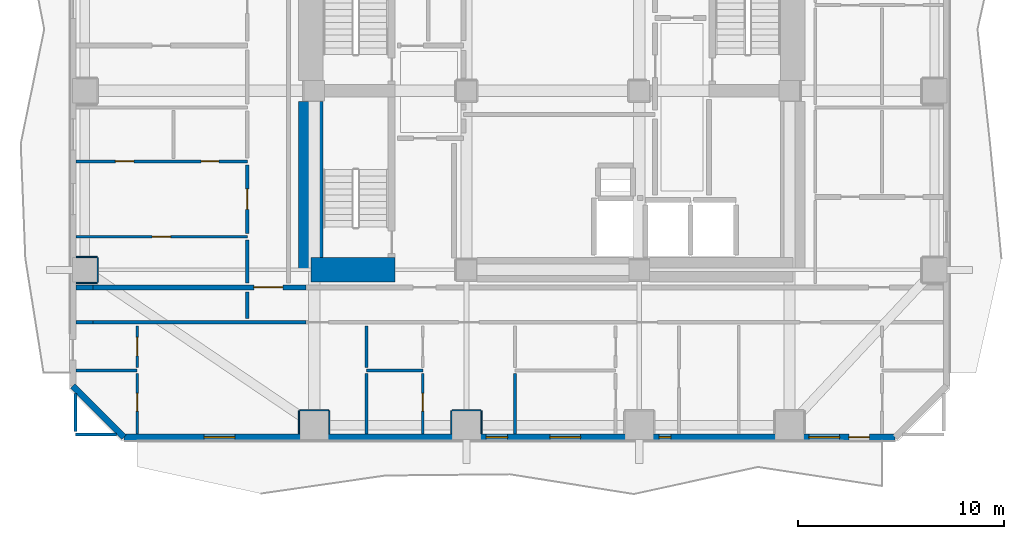
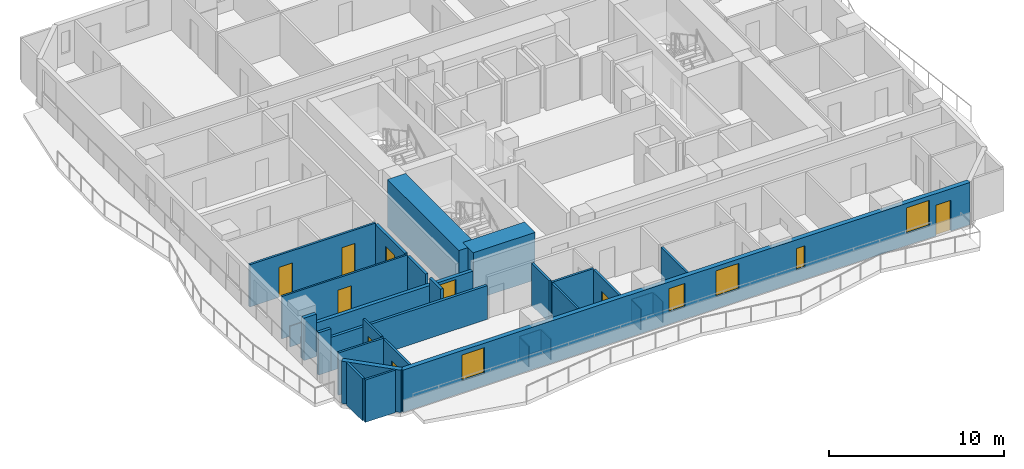
# One storey, part 2 of 12: 32 walls, 9 doors, 5 windows, 14 openings.
"""IFC4 building model written with IfcOpenShell, lengths in metres."""

from ifc_helpers import new_model, si_unit, direction, frame, frame_2d, origin, place, context, subcontext, project, spatial, rectangle, extrude, material, layer, layer_set, type_object, element, fill, save


model = new_model("IFC4")

# Units and contexts
model_context = context("Model", 3, precision=1e-05, world=origin(), true_north=direction((0.0, 1.0)))
body_context = subcontext(model_context, "Body", "Model", "MODEL_VIEW")
ifc_project = project(units=[si_unit("LENGTHUNIT", "METRE"), si_unit("AREAUNIT", "SQUARE_METRE"), si_unit("VOLUMEUNIT", "CUBIC_METRE"), si_unit("PLANEANGLEUNIT", "RADIAN"), si_unit("MASSUNIT", "GRAM", prefix="KILO")], contexts=[model_context])

# Site, building, storey
site_placement = place(None, origin())
site = spatial("IfcSite", under=ifc_project, at=site_placement, CompositionType="ELEMENT")
building_placement = place(site_placement, origin())
building = spatial("IfcBuilding", under=site, at=building_placement, Name="Solanera Arch Residences", CompositionType="ELEMENT")
storey_placement = place(building_placement, frame((0.0, 0.0, 85.080078125)))
storey = spatial("IfcBuildingStorey", under=building, at=storey_placement, Name="L24", CompositionType="ELEMENT", Elevation=85.080078125)

# Walls
ifc_material_1 = material(Name="Fire-Rated Gypsum Stud Partition", Category="gypsum")
ifc_layer_1 = layer(ifc_material_1, 0.06005859375)
ifc_layer_set_1 = layer_set([ifc_layer_1], Name="Fire-Rated Gypsum Stud Partition")
wall_type_1 = type_object("IfcWallType", Name="Column Acoustic Furring Wall 60", PredefinedType="PARTITIONING", material=ifc_layer_set_1)
wall_1_placement = place(storey_placement, frame((12.699951171875, 15.181884765625, 0.0), z_axis=(0.0, 0.0, 1.0), x_axis=(1.0, 0.0, 0.0)))
element("IfcWall", 1, at=wall_1_placement, inside=storey, type_object=wall_type_1, Name="L24 Column Furring 9N", PredefinedType="PARTITIONING", context=body_context, shape_type="SweptSolid", body=[
    extrude(rectangle(XDim=1.400146484375, YDim=0.06005859375, at=frame_2d((0.7001953125, 0.0))), origin(), (0.0, 0.0, 1.0), 1.449951171875),
])
for number, where, z_axis, x_axis, name in (
    (2, (12.66796875, 14.030029296875, 0.0), (0.0, 0.0, 1.0), (0.0, 1.0, 0.0), "L24 Column Furring 9W"),
    (3, (14.132080078125, 14.030029296875, 0.0), (0.0, 0.0, 1.0), (0.0, 1.0, 0.0), "L24 Column Furring 9E"),
):
    element("IfcWall", number, at=place(storey_placement, frame(where, z_axis=z_axis, x_axis=x_axis)), inside=storey, type_object=wall_type_1, Name=name, PredefinedType="PARTITIONING", context=body_context, shape_type="SweptSolid", body=[
        extrude(rectangle(XDim=1.119873046875, YDim=0.06005859375, at=frame_2d((0.56005859375, 0.0))), origin(), (0.0, 0.0, 1.0), 1.449951171875),
    ])
wall_2_placement = place(storey_placement, frame((20.10009765625, 15.181884765625, 0.0), z_axis=(0.0, 0.0, 1.0), x_axis=(1.0, 0.0, 0.0)))
element("IfcWall", 4, at=wall_2_placement, inside=storey, type_object=wall_type_1, Name="L24 Column Furring 11N", PredefinedType="PARTITIONING", context=body_context, shape_type="SweptSolid", body=[
    extrude(rectangle(XDim=1.39990234375, YDim=0.06005859375, at=frame_2d((0.699951171875, 0.0))), origin(), (0.0, 0.0, 1.0), 1.449951171875),
])
for number, where, z_axis, x_axis, name in (
    (5, (20.068115234375, 14.030029296875, 0.0), (0.0, 0.0, 1.0), (0.0, 1.0, 0.0), "L24 Column Furring 11W"),
    (6, (21.531982421875, 14.030029296875, 0.0), (0.0, 0.0, 1.0), (0.0, 1.0, 0.0), "L24 Column Furring 11E"),
):
    element("IfcWall", number, at=place(storey_placement, frame(where, z_axis=z_axis, x_axis=x_axis)), inside=storey, type_object=wall_type_1, Name=name, PredefinedType="PARTITIONING", context=body_context, shape_type="SweptSolid", body=[
        extrude(rectangle(XDim=1.119873046875, YDim=0.06005859375, at=frame_2d((0.56005859375, 0.0))), origin(), (0.0, 0.0, 1.0), 1.449951171875),
    ])
for number, where, z_axis, x_axis, name in (
    (7, (1.830078125, 21.367919921875, 0.0), (0.0, 0.0, 1.0), (1.0, 0.0, 0.0), "L24 Column Furring 17S"),
    (8, (1.830078125, 22.632080078125, 0.0), (0.0, 0.0, 1.0), (1.0, 0.0, 0.0), "L24 Column Furring 17N"),
):
    element("IfcWall", number, at=place(storey_placement, frame(where, z_axis=z_axis, x_axis=x_axis)), inside=storey, type_object=wall_type_1, Name=name, PredefinedType="PARTITIONING", context=body_context, shape_type="SweptSolid", body=[
        extrude(rectangle(XDim=1.02001953125, YDim=0.06005859375, at=frame_2d((0.510009765625, 0.0))), origin(), (0.0, 0.0, 1.0), 1.449951171875),
    ])
wall_3_placement = place(storey_placement, frame((2.882080078125, 21.39990234375, 0.0), z_axis=(0.0, 0.0, 1.0), x_axis=(0.0, 1.0, 0.0)))
element("IfcWall", 9, at=wall_3_placement, inside=storey, type_object=wall_type_1, Name="L24 Column Furring 17E", PredefinedType="PARTITIONING", context=body_context, shape_type="SweptSolid", body=[
    extrude(rectangle(XDim=1.2001953125, YDim=0.06005859375, at=frame_2d((0.60009765625, 0.0))), origin(), (0.0, 0.0, 1.0), 1.449951171875),
])
ifc_material_2 = material(Name="Concrete C55/67 (f'c = 60 MPa)", Category="concrete")
ifc_layer_2 = layer(ifc_material_2, 1.199951171875)
ifc_layer_set_2 = layer_set([ifc_layer_2], Name="Concrete C55/67 (f'c = 60 MPa)")
wall_type_2 = type_object("IfcWallType", Name="Core Shear Wall CW-1200", PredefinedType="SHEAR", material=ifc_layer_set_2)
wall_4_placement = place(storey_placement, frame((13.239990234375, 22.0, 0.0), z_axis=(0.0, 0.0, 1.0), x_axis=(0.0, 1.0, 0.0)))
element("IfcWall", 10, at=wall_4_placement, inside=storey, type_object=wall_type_2, Name="L24 West Core South Shear Wall", PredefinedType="SHEAR", context=body_context, shape_type="SweptSolid", body=[
    extrude(rectangle(XDim=8.195068359375, YDim=1.199951171875, at=frame_2d((4.09765625, 0.0))), origin(), (0.0, 0.0, 1.0), 3.31982421875),
])
wall_5_placement = place(storey_placement, frame((13.239990234375, 22.0, 0.0), z_axis=(0.0, 0.0, 1.0), x_axis=(1.0, 0.0, 0.0)))
element("IfcWall", 11, at=wall_5_placement, inside=storey, type_object=wall_type_2, Name="L24 South-West Core Shear Wall", PredefinedType="SHEAR", context=body_context, shape_type="SweptSolid", body=[
    extrude(rectangle(XDim=4.080078125, YDim=1.199951171875, at=frame_2d((2.0400390625, 0.0))), origin(), (0.0, 0.0, 1.0), 3.31982421875),
])
ifc_material_3 = material(Name="Autoclaved Aerated Concrete Blockwork", Category="masonry")
ifc_layer_3 = layer(ifc_material_3, 0.179931640625)
ifc_layer_set_3 = layer_set([ifc_layer_3], Name="Autoclaved Aerated Concrete Blockwork")
wall_type_3 = type_object("IfcWallType", Name="Corridor Fire Partition 180", PredefinedType="PARTITIONING", material=ifc_layer_set_3)
wall_6_placement = place(storey_placement, frame((1.826904296875, 19.449951171875, 0.0), z_axis=(0.0, 0.0, 1.0), x_axis=(1.0, 0.0, 0.0)))
element("IfcWall", 12, at=wall_6_placement, inside=storey, type_object=wall_type_3, Name="L24 Interior Partition H8 1", PredefinedType="PARTITIONING", context=body_context, shape_type="SweptSolid", body=[
    extrude(rectangle(XDim=0.830078125, YDim=0.179931640625, at=frame_2d((0.4150390625, 0.0))), origin(), (0.0, 0.0, 1.0), 2.9599609375),
])
wall_7_placement = place(storey_placement, frame((2.656982421875, 19.449951171875, 0.0), z_axis=(0.0, 0.0, 1.0), x_axis=(1.0, 0.0, 0.0)))
element("IfcWall", 13, at=wall_7_placement, inside=storey, type_object=wall_type_3, Name="L24 Interior Partition H8 2", PredefinedType="PARTITIONING", context=body_context, shape_type="SweptSolid", body=[
    extrude(rectangle(XDim=10.3359375, YDim=0.179931640625, at=frame_2d((5.16796875, 0.0))), origin(), (0.0, 0.0, 1.0), 2.344970703125),
])
wall_8_placement = place(storey_placement, frame((10.14990234375, 19.637939453125, 0.0), z_axis=(0.0, 0.0, 1.0), x_axis=(0.0, 1.0, 0.0)))
element("IfcWall", 14, at=wall_8_placement, inside=storey, type_object=wall_type_3, Name="L24 Interior Partition V6 1", PredefinedType="PARTITIONING", context=body_context, shape_type="SweptSolid", body=[
    extrude(rectangle(XDim=1.2939453125, YDim=0.179931640625, at=frame_2d((0.64697265625, 0.0))), origin(), (0.0, 0.0, 1.0), 2.9599609375),
])
wall_9_placement = place(storey_placement, frame((10.14990234375, 21.367919921875, 0.0), z_axis=(0.0, 0.0, 1.0), x_axis=(0.0, 1.0, 0.0)))
element("IfcWall", 15, at=wall_9_placement, inside=storey, type_object=wall_type_3, Name="L24 Interior Partition V6 2", PredefinedType="PARTITIONING", context=body_context, shape_type="SweptSolid", body=[
    extrude(rectangle(XDim=2.073974609375, YDim=0.179931640625, at=frame_2d((1.037109375, 0.0))), origin(), (0.0, 0.0, 1.0), 2.9599609375),
])

# Wall, opening, door
wall_10_placement = place(storey_placement, frame((10.14990234375, 23.758056640625, 0.0), z_axis=(0.0, 0.0, 1.0), x_axis=(0.0, 1.0, 0.0)))
wall_10 = element("IfcWall", 16, at=wall_10_placement, inside=storey, type_object=wall_type_3, Name="L24 Interior Partition V6 3", PredefinedType="PARTITIONING", context=body_context, shape_type="SweptSolid", body=[
    extrude(rectangle(XDim=3.348876953125, YDim=0.179931640625, at=frame_2d((1.67431640625, 0.0))), origin(), (0.0, 0.0, 1.0), 2.9599609375),
])
opening_1_placement = place(wall_10_placement, frame((1.179931640625, 0.0, 0.0)))
opening_1 = element("IfcOpeningElement", 17, at=opening_1_placement, cuts=wall_10, Name="Opening DI-01", PredefinedType="OPENING", context=body_context, shape_type="SweptSolid", body=[
    extrude(rectangle(XDim=1.0, YDim=2.14990234375, at=frame_2d((0.5, 1.074951171875))), frame((0.0, 0.10009765625, 0.0), z_axis=(0.0, -1.0, 0.0), x_axis=(1.0, 0.0, 0.0)), (0.0, 0.0, 1.0), 0.1999),
])
ifc_material_4 = material(Name="Fire-Rated Architectural Hardwood", Category="wood")
door_type_1 = type_object("IfcDoorType", Name="Unit Entrance Fire Door DI-01", OperationType="NOTDEFINED", PredefinedType="DOOR", material=ifc_material_4)
door_1_placement = place(opening_1_placement, origin())
door_1 = element("IfcDoor", 18, at=door_1_placement, inside=storey, type_object=door_type_1, Name="DR-L24-IN-041", OperationType="SINGLE_SWING_LEFT", OverallHeight=2.14990234375, OverallWidth=1.0, PredefinedType="DOOR", context=body_context, shape_type="SweptSolid", body=[
    extrude(rectangle(XDim=1.0, YDim=2.14990234375, at=frame_2d((0.5, 1.074951171875))), frame((0.0, 0.02490234375, 0.0), z_axis=(0.0, -1.0, 0.0), x_axis=(1.0, 0.0, 0.0)), (0.0, 0.0, 1.0), 0.050048828125),
])
fill(opening_1, door_1)

# Wall, openings, door, windows
ifc_material_5 = material(Name="Precast Concrete C35/45", Category="concrete")
ifc_layer_4 = layer(ifc_material_5, 0.300048828125)
ifc_layer_set_4 = layer_set([ifc_layer_4], Name="Precast Concrete C35/45")
wall_type_4 = type_object("IfcWallType", Name="Exterior Wall Precast Masonry-Frame 300", PredefinedType="STANDARD", material=ifc_layer_set_4)
wall_11_placement = place(storey_placement, frame((41.635009765625, 13.864990234375, 0.0), z_axis=(0.0, 0.0, 1.0), x_axis=(-1.0, 0.0, 0.0)))
wall_11 = element("IfcWall", 19, at=wall_11_placement, inside=storey, type_object=wall_type_4, Name="L24 Tower Exterior Precast Masonry-Frame Wall S", PredefinedType="STANDARD", context=body_context, shape_type="SweptSolid", body=[
    extrude(rectangle(XDim=37.469970703125, YDim=0.300048828125, at=frame_2d((18.73486328125, 0.0))), origin(), (0.0, 0.0, 1.0), 2.9599609375),
])
opening_2_placement = place(wall_11_placement, frame((1.2509765625, 0.0, 0.0)))
opening_2 = element("IfcOpeningElement", 20, at=opening_2_placement, cuts=wall_11, Name="Opening DB-01", PredefinedType="OPENING", context=body_context, shape_type="SweptSolid", body=[
    extrude(rectangle(XDim=1.0, YDim=2.14990234375, at=frame_2d((0.5, 1.074951171875))), frame((0.0, 0.159912109375, 0.0), z_axis=(0.0, -1.0, 0.0), x_axis=(1.0, 0.0, 0.0)), (0.0, 0.0, 1.0), 0.32),
])
opening_3_placement = place(wall_11_placement, frame((32.0849609375, 0.0, 0.85009765625)))
opening_3 = element("IfcOpeningElement", 21, at=opening_3_placement, cuts=wall_11, Name="Opening W-02", PredefinedType="OPENING", context=body_context, shape_type="SweptSolid", body=[
    extrude(rectangle(XDim=1.5, YDim=1.800048828125, at=frame_2d((0.75, 0.89990234375))), frame((0.0, 0.159912109375, 0.0), z_axis=(0.0, -1.0, 0.0), x_axis=(1.0, 0.0, 0.0)), (0.0, 0.0, 1.0), 0.32),
])
opening_4_placement = place(wall_11_placement, frame((18.8330078125, 0.0, 0.85009765625)))
opening_4 = element("IfcOpeningElement", 22, at=opening_4_placement, cuts=wall_11, Name="Opening W-07", PredefinedType="OPENING", context=body_context, shape_type="SweptSolid", body=[
    extrude(rectangle(XDim=1.050048828125, YDim=1.64990234375, at=frame_2d((0.52490234375, 0.824951171875))), frame((0.0, 0.159912109375, 0.0), z_axis=(0.0, -1.0, 0.0), x_axis=(1.0, 0.0, 0.0)), (0.0, 0.0, 1.0), 0.32),
])
opening_5_placement = place(wall_11_placement, frame((10.89501953125, 0.0, 0.85009765625)))
opening_5 = element("IfcOpeningElement", 23, at=opening_5_placement, cuts=wall_11, Name="Opening W-14", PredefinedType="OPENING", context=body_context, shape_type="SweptSolid", body=[
    extrude(rectangle(XDim=0.580078125, YDim=1.5, at=frame_2d((0.2900390625, 0.75))), frame((0.0, 0.159912109375, 0.0), z_axis=(0.0, -1.0, 0.0), x_axis=(1.0, 0.0, 0.0)), (0.0, 0.0, 1.0), 0.32),
])
opening_6_placement = place(wall_11_placement, frame((15.282958984375, 0.0, 0.85009765625)))
opening_6 = element("IfcOpeningElement", 24, at=opening_6_placement, cuts=wall_11, Name="Opening W-02", PredefinedType="OPENING", context=body_context, shape_type="SweptSolid", body=[
    extrude(rectangle(XDim=1.5, YDim=1.800048828125, at=frame_2d((0.75, 0.89990234375))), frame((0.0, 0.159912109375, 0.0), z_axis=(0.0, -1.0, 0.0), x_axis=(1.0, 0.0, 0.0)), (0.0, 0.0, 1.0), 0.32),
])
opening_7_placement = place(wall_11_placement, frame((2.693115234375, 0.0, 0.85009765625)))
opening_7 = element("IfcOpeningElement", 25, at=opening_7_placement, cuts=wall_11, Name="Opening W-02", PredefinedType="OPENING", context=body_context, shape_type="SweptSolid", body=[
    extrude(rectangle(XDim=1.5, YDim=1.800048828125, at=frame_2d((0.75, 0.89990234375))), frame((0.0, 0.159912109375, 0.0), z_axis=(0.0, -1.0, 0.0), x_axis=(1.0, 0.0, 0.0)), (0.0, 0.0, 1.0), 0.32),
])
ifc_material_6 = material(Name="Anodised Aluminium Alloy 6063-T6", Category="aluminium")
door_type_2 = type_object("IfcDoorType", Name="Glazed Balcony Swing Door DB-01", OperationType="NOTDEFINED", PredefinedType="DOOR", material=ifc_material_6)
door_2_placement = place(opening_2_placement, origin())
door_2 = element("IfcDoor", 26, at=door_2_placement, inside=storey, type_object=door_type_2, Name="DR-L24-OUT-01", OperationType="SINGLE_SWING_RIGHT", OverallHeight=2.14990234375, OverallWidth=1.0, PredefinedType="DOOR", context=body_context, shape_type="SweptSolid", body=[
    extrude(rectangle(XDim=1.0, YDim=2.14990234375, at=frame_2d((0.5, 1.074951171875))), frame((0.0, 0.02490234375, 0.0), z_axis=(0.0, -1.0, 0.0), x_axis=(1.0, 0.0, 0.0)), (0.0, 0.0, 1.0), 0.050048828125),
])
fill(opening_2, door_2)
ifc_material_7 = material(Name="Double Glazed Low-E Laminated Glass", Category="glass")
window_type_1 = type_object("IfcWindowType", Name="Punched Window W-02", PartitioningType="DOUBLE_PANEL_VERTICAL", PredefinedType="WINDOW", material=ifc_material_7)
window_1_placement = place(opening_3_placement, origin())
window_1 = element("IfcWindow", 27, at=window_1_placement, inside=storey, type_object=window_type_1, Name="L24 2401-LIV Punched Window", OverallHeight=1.800048828125, OverallWidth=1.5, PartitioningType="SINGLE_PANEL", PredefinedType="WINDOW", context=body_context, shape_type="SweptSolid", body=[
    extrude(rectangle(XDim=1.5, YDim=1.800048828125, at=frame_2d((0.75, 0.89990234375))), frame((0.0, 0.030029296875, 0.0), z_axis=(0.0, -1.0, 0.0), x_axis=(1.0, 0.0, 0.0)), (0.0, 0.0, 1.0), 0.06005859375),
])
fill(opening_3, window_1)
window_2_placement = place(opening_6_placement, origin())
window_2 = element("IfcWindow", 28, at=window_2_placement, inside=storey, type_object=window_type_1, Name="L24 2403-BR1 Punched Window", OverallHeight=1.800048828125, OverallWidth=1.5, PartitioningType="SINGLE_PANEL", PredefinedType="WINDOW", context=body_context, shape_type="SweptSolid", body=[
    extrude(rectangle(XDim=1.5, YDim=1.800048828125, at=frame_2d((0.75, 0.89990234375))), frame((0.0, 0.030029296875, 0.0), z_axis=(0.0, -1.0, 0.0), x_axis=(1.0, 0.0, 0.0)), (0.0, 0.0, 1.0), 0.06005859375),
])
fill(opening_6, window_2)
window_3_placement = place(opening_7_placement, origin())
window_3 = element("IfcWindow", 29, at=window_3_placement, inside=storey, type_object=window_type_1, Name="L24 2404-LIV Punched Window", OverallHeight=1.800048828125, OverallWidth=1.5, PartitioningType="SINGLE_PANEL", PredefinedType="WINDOW", context=body_context, shape_type="SweptSolid", body=[
    extrude(rectangle(XDim=1.5, YDim=1.800048828125, at=frame_2d((0.75, 0.89990234375))), frame((0.0, 0.030029296875, 0.0), z_axis=(0.0, -1.0, 0.0), x_axis=(1.0, 0.0, 0.0)), (0.0, 0.0, 1.0), 0.06005859375),
])
fill(opening_7, window_3)
ifc_material_8 = material(Name="Double Glazed Low-E Laminated Glass", Category="glass")
window_type_2 = type_object("IfcWindowType", Name="Punched Window W-07", PartitioningType="SINGLE_PANEL", PredefinedType="WINDOW", material=ifc_material_8)
window_4_placement = place(opening_4_placement, origin())
window_4 = element("IfcWindow", 30, at=window_4_placement, inside=storey, type_object=window_type_2, Name="L24 2402-LIV Punched Window", OverallHeight=1.64990234375, OverallWidth=1.050048828125, PartitioningType="SINGLE_PANEL", PredefinedType="WINDOW", context=body_context, shape_type="SweptSolid", body=[
    extrude(rectangle(XDim=1.050048828125, YDim=1.64990234375, at=frame_2d((0.52490234375, 0.824951171875))), frame((0.0, 0.030029296875, 0.0), z_axis=(0.0, -1.0, 0.0), x_axis=(1.0, 0.0, 0.0)), (0.0, 0.0, 1.0), 0.06005859375),
])
fill(opening_4, window_4)
ifc_material_9 = material(Name="Double Glazed Low-E Laminated Glass", Category="glass")
window_type_3 = type_object("IfcWindowType", Name="Punched Window W-14", PartitioningType="SINGLE_PANEL", PredefinedType="WINDOW", material=ifc_material_9)
window_5_placement = place(opening_5_placement, origin())
window_5 = element("IfcWindow", 31, at=window_5_placement, inside=storey, type_object=window_type_3, Name="L24 2403-LIV Punched Window", OverallHeight=1.5, OverallWidth=0.580078125, PartitioningType="SINGLE_PANEL", PredefinedType="WINDOW", context=body_context, shape_type="SweptSolid", body=[
    extrude(rectangle(XDim=0.580078125, YDim=1.5, at=frame_2d((0.2900390625, 0.75))), frame((0.0, 0.030029296875, 0.0), z_axis=(0.0, -1.0, 0.0), x_axis=(1.0, 0.0, 0.0)), (0.0, 0.0, 1.0), 0.06005859375),
])
fill(opening_5, window_5)

# Walls
wall_12_placement = place(storey_placement, frame((4.1650390625, 13.864990234375, 0.0), z_axis=(0.0, 0.0, 1.0), x_axis=(-0.707106781187, 0.707106781187, 0.0)))
element("IfcWall", 32, at=wall_12_placement, inside=storey, type_object=wall_type_4, Name="L24 Tower Exterior Precast Masonry-Frame Wall CH7", PredefinedType="STANDARD", context=body_context, shape_type="SweptSolid", body=[
    extrude(rectangle(XDim=3.53564453125, YDim=0.300048828125, at=frame_2d((1.767822265625, 0.0))), origin(), (0.0, 0.0, 1.0), 2.9599609375),
])
ifc_material_10 = material(Name="Autoclaved Aerated Concrete Blockwork", Category="masonry")
ifc_layer_5 = layer(ifc_material_10, 0.239990234375)
ifc_layer_set_5 = layer_set([ifc_layer_5], Name="Autoclaved Aerated Concrete Blockwork")
wall_type_5 = type_object("IfcWallType", Name="Shaft Wall Fire-Rated 240", PredefinedType="PARTITIONING", material=ifc_layer_set_5)
wall_13_placement = place(storey_placement, frame((1.826904296875, 21.14990234375, 0.0), z_axis=(0.0, 0.0, 1.0), x_axis=(1.0, 0.0, 0.0)))
element("IfcWall", 33, at=wall_13_placement, inside=storey, type_object=wall_type_5, Name="L24 Interior Partition H1 1", PredefinedType="PARTITIONING", context=body_context, shape_type="SweptSolid", body=[
    extrude(rectangle(XDim=0.830078125, YDim=0.239990234375, at=frame_2d((0.4150390625, 0.0))), origin(), (0.0, 0.0, 1.0), 2.9599609375),
])

# Wall, opening, door
wall_14_placement = place(storey_placement, frame((2.656982421875, 21.14990234375, 0.0), z_axis=(0.0, 0.0, 1.0), x_axis=(1.0, 0.0, 0.0)))
wall_14 = element("IfcWall", 34, at=wall_14_placement, inside=storey, type_object=wall_type_5, Name="L24 Interior Partition H1 2", PredefinedType="PARTITIONING", context=body_context, shape_type="SweptSolid", body=[
    extrude(rectangle(XDim=10.3359375, YDim=0.239990234375, at=frame_2d((5.16796875, 0.0))), origin(), (0.0, 0.0, 1.0), 2.344970703125),
])
opening_8_placement = place(wall_14_placement, frame((7.81689453125, 0.0, 0.0)))
opening_8 = element("IfcOpeningElement", 35, at=opening_8_placement, cuts=wall_14, Name="Opening DF-03", PredefinedType="OPENING", context=body_context, shape_type="SweptSolid", body=[
    extrude(rectangle(XDim=1.39990234375, YDim=2.14990234375, at=frame_2d((0.699951171875, 1.074951171875))), frame((0.0, 0.1298828125, 0.0), z_axis=(0.0, -1.0, 0.0), x_axis=(1.0, 0.0, 0.0)), (0.0, 0.0, 1.0), 0.26),
])
ifc_material_11 = material(Name="Fire-Rated Architectural Hardwood", Category="wood")
door_type_3 = type_object("IfcDoorType", Name="Corridor Smoke Door DF-03", OperationType="NOTDEFINED", PredefinedType="DOOR", material=ifc_material_11)
door_3_placement = place(opening_8_placement, origin())
door_3 = element("IfcDoor", 36, at=door_3_placement, inside=storey, type_object=door_type_3, Name="DR-L24-IN-010", OperationType="SINGLE_SWING_RIGHT", OverallHeight=2.14990234375, OverallWidth=1.39990234375, PredefinedType="DOOR", context=body_context, shape_type="SweptSolid", body=[
    extrude(rectangle(XDim=1.39990234375, YDim=2.14990234375, at=frame_2d((0.699951171875, 1.074951171875))), frame((0.0, 0.02490234375, 0.0), z_axis=(0.0, -1.0, 0.0), x_axis=(1.0, 0.0, 0.0)), (0.0, 0.0, 1.0), 0.050048828125),
])
fill(opening_8, door_3)

ifc_material_12 = material(Name="Fire-Rated Gypsum Stud Partition", Category="gypsum")
ifc_layer_6 = layer(ifc_material_12, 0.1201171875)
ifc_layer_set_6 = layer_set([ifc_layer_6], Name="Fire-Rated Gypsum Stud Partition")
wall_type_6 = type_object("IfcWallType", Name="Unit Drywall Partition 120", PredefinedType="PARTITIONING", material=ifc_layer_set_6)
wall_15_placement = place(storey_placement, frame((1.826904296875, 23.60009765625, 0.0), z_axis=(0.0, 0.0, 1.0), x_axis=(1.0, 0.0, 0.0)))
wall_15 = element("IfcWall", 37, at=wall_15_placement, inside=storey, type_object=wall_type_6, Name="L24 Interior Partition H28", PredefinedType="PARTITIONING", context=body_context, shape_type="SweptSolid", body=[
    extrude(rectangle(XDim=8.322998046875, YDim=0.1201171875, at=frame_2d((4.16162109375, 0.0))), origin(), (0.0, 0.0, 1.0), 2.9599609375),
])
opening_9_placement = place(wall_15_placement, frame((3.697998046875, 0.0, 0.0)))
opening_9 = element("IfcOpeningElement", 38, at=opening_9_placement, cuts=wall_15, Name="Opening DI-02", PredefinedType="OPENING", context=body_context, shape_type="SweptSolid", body=[
    extrude(rectangle(XDim=0.89990234375, YDim=2.10009765625, at=frame_2d((0.449951171875, 1.050048828125))), frame((0.0, 0.070068359375, 0.0), z_axis=(0.0, -1.0, 0.0), x_axis=(1.0, 0.0, 0.0)), (0.0, 0.0, 1.0), 0.1401),
])
ifc_material_13 = material(Name="Fire-Rated Architectural Hardwood", Category="wood")
door_type_4 = type_object("IfcDoorType", Name="Suite Room Swing Door DI-02", OperationType="NOTDEFINED", PredefinedType="DOOR", material=ifc_material_13)
door_4_placement = place(opening_9_placement, origin())
door_4 = element("IfcDoor", 39, at=door_4_placement, inside=storey, type_object=door_type_4, Name="DR-L24-IN-042", OperationType="SINGLE_SWING_RIGHT", OverallHeight=2.10009765625, OverallWidth=0.89990234375, PredefinedType="DOOR", context=body_context, shape_type="SweptSolid", body=[
    extrude(rectangle(XDim=0.89990234375, YDim=2.10009765625, at=frame_2d((0.449951171875, 1.050048828125))), frame((0.0, 0.02490234375, 0.0), z_axis=(0.0, -1.0, 0.0), x_axis=(1.0, 0.0, 0.0)), (0.0, 0.0, 1.0), 0.050048828125),
])
fill(opening_9, door_4)

# Walls
ifc_material_14 = material(Name="Autoclaved Aerated Concrete Blockwork", Category="masonry")
ifc_layer_7 = layer(ifc_material_14, 0.139892578125)
ifc_layer_set_7 = layer_set([ifc_layer_7], Name="Autoclaved Aerated Concrete Blockwork")
wall_type_7 = type_object("IfcWallType", Name="Wet-Room Partition 140", PredefinedType="PARTITIONING", material=ifc_layer_set_7)
wall_16_placement = place(storey_placement, frame((1.800048828125, 14.0, 0.0), z_axis=(0.0, 0.0, 1.0), x_axis=(1.0, 0.0, 0.0)))
element("IfcWall", 40, at=wall_16_placement, inside=storey, type_object=wall_type_7, Name="L24 Interior Partition H14 1", PredefinedType="PARTITIONING", context=body_context, shape_type="SweptSolid", body=[
    extrude(rectangle(XDim=2.0009765625, YDim=0.139892578125, at=frame_2d((1.00048828125, 0.0))), origin(), (0.0, 0.0, 1.0), 2.9599609375),
])
wall_17_placement = place(storey_placement, frame((1.826904296875, 17.10693359375, 0.0), z_axis=(0.0, 0.0, 1.0), x_axis=(1.0, 0.0, 0.0)))
element("IfcWall", 41, at=wall_17_placement, inside=storey, type_object=wall_type_7, Name="L24 Interior Partition H15", PredefinedType="PARTITIONING", context=body_context, shape_type="SweptSolid", body=[
    extrude(rectangle(XDim=2.97314453125, YDim=0.139892578125, at=frame_2d((1.486572265625, 0.0))), origin(), (0.0, 0.0, 1.0), 2.9599609375),
])
wall_18_placement = place(storey_placement, frame((15.93603515625, 17.10693359375, 0.0), z_axis=(0.0, 0.0, 1.0), x_axis=(1.0, 0.0, 0.0)))
element("IfcWall", 42, at=wall_18_placement, inside=storey, type_object=wall_type_7, Name="L24 Interior Partition H16", PredefinedType="PARTITIONING", context=body_context, shape_type="SweptSolid", body=[
    extrude(rectangle(XDim=2.742919921875, YDim=0.139892578125, at=frame_2d((1.37158203125, 0.0))), origin(), (0.0, 0.0, 1.0), 2.9599609375),
])

# Wall, openings, doors
wall_19_placement = place(storey_placement, frame((1.826904296875, 27.27490234375, 0.0), z_axis=(0.0, 0.0, 1.0), x_axis=(1.0, 0.0, 0.0)))
wall_19 = element("IfcWall", 43, at=wall_19_placement, inside=storey, type_object=wall_type_7, Name="L24 Interior Partition H19", PredefinedType="PARTITIONING", context=body_context, shape_type="SweptSolid", body=[
    extrude(rectangle(XDim=8.322998046875, YDim=0.139892578125, at=frame_2d((4.16162109375, 0.0))), origin(), (0.0, 0.0, 1.0), 2.9599609375),
])
opening_10_placement = place(wall_19_placement, frame((6.0849609375, 0.0, 0.0)))
opening_10 = element("IfcOpeningElement", 44, at=opening_10_placement, cuts=wall_19, Name="Opening DI-05", PredefinedType="OPENING", context=body_context, shape_type="SweptSolid", body=[
    extrude(rectangle(XDim=0.860107421875, YDim=2.02001953125, at=frame_2d((0.43017578125, 1.010009765625))), frame((0.0, 0.079833984375, 0.0), z_axis=(0.0, -1.0, 0.0), x_axis=(1.0, 0.0, 0.0)), (0.0, 0.0, 1.0), 0.1599),
])
opening_11_placement = place(wall_19_placement, frame((1.9150390625, 0.0, 0.0)))
opening_11 = element("IfcOpeningElement", 45, at=opening_11_placement, cuts=wall_19, Name="Opening DI-03", PredefinedType="OPENING", context=body_context, shape_type="SweptSolid", body=[
    extrude(rectangle(XDim=0.89990234375, YDim=2.10009765625, at=frame_2d((0.449951171875, 1.050048828125))), frame((0.0, 0.079833984375, 0.0), z_axis=(0.0, -1.0, 0.0), x_axis=(1.0, 0.0, 0.0)), (0.0, 0.0, 1.0), 0.1599),
])
ifc_material_15 = material(Name="Fire-Rated Architectural Hardwood", Category="wood")
door_type_5 = type_object("IfcDoorType", Name="Bathroom Swing Door DI-05", OperationType="NOTDEFINED", PredefinedType="DOOR", material=ifc_material_15)
door_5_placement = place(opening_10_placement, origin())
door_5 = element("IfcDoor", 46, at=door_5_placement, inside=storey, type_object=door_type_5, Name="DR-L24-IN-043", OperationType="SINGLE_SWING_LEFT", OverallHeight=2.02001953125, OverallWidth=0.860107421875, PredefinedType="DOOR", context=body_context, shape_type="SweptSolid", body=[
    extrude(rectangle(XDim=0.860107421875, YDim=2.02001953125, at=frame_2d((0.43017578125, 1.010009765625))), frame((0.0, 0.02490234375, 0.0), z_axis=(0.0, -1.0, 0.0), x_axis=(1.0, 0.0, 0.0)), (0.0, 0.0, 1.0), 0.050048828125),
])
fill(opening_10, door_5)
ifc_material_16 = material(Name="Fire-Rated Architectural Hardwood", Category="wood")
door_type_6 = type_object("IfcDoorType", Name="Bedroom Swing Door DI-03", OperationType="NOTDEFINED", PredefinedType="DOOR", material=ifc_material_16)
door_6_placement = place(opening_11_placement, origin())
door_6 = element("IfcDoor", 47, at=door_6_placement, inside=storey, type_object=door_type_6, Name="DR-L24-IN-044", OperationType="SINGLE_SWING_RIGHT", OverallHeight=2.10009765625, OverallWidth=0.89990234375, PredefinedType="DOOR", context=body_context, shape_type="SweptSolid", body=[
    extrude(rectangle(XDim=0.89990234375, YDim=2.10009765625, at=frame_2d((0.449951171875, 1.050048828125))), frame((0.0, 0.02490234375, 0.0), z_axis=(0.0, -1.0, 0.0), x_axis=(1.0, 0.0, 0.0)), (0.0, 0.0, 1.0), 0.050048828125),
])
fill(opening_11, door_6)

# Wall
wall_20_placement = place(storey_placement, frame((1.800048828125, 14.14794921875, 0.0), z_axis=(0.0, 0.0, 1.0), x_axis=(0.0, 1.0, 0.0)))
element("IfcWall", 48, at=wall_20_placement, inside=storey, type_object=wall_type_7, Name="L24 Interior Partition V10", PredefinedType="PARTITIONING", context=body_context, shape_type="SweptSolid", body=[
    extrude(rectangle(XDim=1.85302734375, YDim=0.139892578125, at=frame_2d((0.926513671875, 0.0))), origin(), (0.0, 0.0, 1.0), 2.9599609375),
])

# Wall, opening, door
wall_21_placement = place(storey_placement, frame((4.800048828125, 14.027099609375, 0.0), z_axis=(0.0, 0.0, 1.0), x_axis=(0.0, 1.0, 0.0)))
wall_21 = element("IfcWall", 49, at=wall_21_placement, inside=storey, type_object=wall_type_7, Name="L24 Interior Partition V13 1", PredefinedType="PARTITIONING", context=body_context, shape_type="SweptSolid", body=[
    extrude(rectangle(XDim=2.931884765625, YDim=0.139892578125, at=frame_2d((1.4658203125, 0.0))), origin(), (0.0, 0.0, 1.0), 2.9599609375),
])
opening_12_placement = place(wall_21_placement, frame((1.10888671875, 0.0, 0.0)))
opening_12 = element("IfcOpeningElement", 50, at=opening_12_placement, cuts=wall_21, Name="Opening DI-05", PredefinedType="OPENING", context=body_context, shape_type="SweptSolid", body=[
    extrude(rectangle(XDim=0.860107421875, YDim=2.02001953125, at=frame_2d((0.43017578125, 1.010009765625))), frame((0.0, 0.079833984375, 0.0), z_axis=(0.0, -1.0, 0.0), x_axis=(1.0, 0.0, 0.0)), (0.0, 0.0, 1.0), 0.1599),
])
door_7_placement = place(opening_12_placement, origin())
door_7 = element("IfcDoor", 51, at=door_7_placement, inside=storey, type_object=door_type_5, Name="DR-L24-IN-015", OperationType="SINGLE_SWING_LEFT", OverallHeight=2.02001953125, OverallWidth=0.860107421875, PredefinedType="DOOR", context=body_context, shape_type="SweptSolid", body=[
    extrude(rectangle(XDim=0.860107421875, YDim=2.02001953125, at=frame_2d((0.43017578125, 1.010009765625))), frame((0.0, 0.02490234375, 0.0), z_axis=(0.0, -1.0, 0.0), x_axis=(1.0, 0.0, 0.0)), (0.0, 0.0, 1.0), 0.050048828125),
])
fill(opening_12, door_7)

wall_22_placement = place(storey_placement, frame((4.800048828125, 17.2548828125, 0.0), z_axis=(0.0, 0.0, 1.0), x_axis=(0.0, 1.0, 0.0)))
wall_22 = element("IfcWall", 52, at=wall_22_placement, inside=storey, type_object=wall_type_7, Name="L24 Interior Partition V13 2", PredefinedType="PARTITIONING", context=body_context, shape_type="SweptSolid", body=[
    extrude(rectangle(XDim=2.027099609375, YDim=0.139892578125, at=frame_2d((1.013671875, 0.0))), origin(), (0.0, 0.0, 1.0), 2.9599609375),
])
opening_13_placement = place(wall_22_placement, frame((0.56103515625, 0.0, 0.0)))
opening_13 = element("IfcOpeningElement", 53, at=opening_13_placement, cuts=wall_22, Name="Opening DI-02", PredefinedType="OPENING", context=body_context, shape_type="SweptSolid", body=[
    extrude(rectangle(XDim=0.89990234375, YDim=2.10009765625, at=frame_2d((0.449951171875, 1.050048828125))), frame((0.0, 0.079833984375, 0.0), z_axis=(0.0, -1.0, 0.0), x_axis=(1.0, 0.0, 0.0)), (0.0, 0.0, 1.0), 0.1599),
])
door_8_placement = place(opening_13_placement, origin())
door_8 = element("IfcDoor", 54, at=door_8_placement, inside=storey, type_object=door_type_4, Name="DR-L24-IN-014", OperationType="SINGLE_SWING_RIGHT", OverallHeight=2.10009765625, OverallWidth=0.89990234375, PredefinedType="DOOR", context=body_context, shape_type="SweptSolid", body=[
    extrude(rectangle(XDim=0.89990234375, YDim=2.10009765625, at=frame_2d((0.449951171875, 1.050048828125))), frame((0.0, 0.02490234375, 0.0), z_axis=(0.0, -1.0, 0.0), x_axis=(1.0, 0.0, 0.0)), (0.0, 0.0, 1.0), 0.050048828125),
])
fill(opening_13, door_8)

# Walls
wall_23_placement = place(storey_placement, frame((15.93603515625, 14.027099609375, 0.0), z_axis=(0.0, 0.0, 1.0), x_axis=(0.0, 1.0, 0.0)))
element("IfcWall", 55, at=wall_23_placement, inside=storey, type_object=wall_type_7, Name="L24 Interior Partition V17 1", PredefinedType="PARTITIONING", context=body_context, shape_type="SweptSolid", body=[
    extrude(rectangle(XDim=2.931884765625, YDim=0.139892578125, at=frame_2d((1.4658203125, 0.0))), origin(), (0.0, 0.0, 1.0), 2.9599609375),
])
wall_24_placement = place(storey_placement, frame((15.93603515625, 17.2548828125, 0.0), z_axis=(0.0, 0.0, 1.0), x_axis=(0.0, 1.0, 0.0)))
element("IfcWall", 56, at=wall_24_placement, inside=storey, type_object=wall_type_7, Name="L24 Interior Partition V17 2", PredefinedType="PARTITIONING", context=body_context, shape_type="SweptSolid", body=[
    extrude(rectangle(XDim=2.027099609375, YDim=0.139892578125, at=frame_2d((1.013671875, 0.0))), origin(), (0.0, 0.0, 1.0), 2.9599609375),
])

# Wall, opening, door
wall_25_placement = place(storey_placement, frame((18.678955078125, 14.027099609375, 0.0), z_axis=(0.0, 0.0, 1.0), x_axis=(0.0, 1.0, 0.0)))
wall_25 = element("IfcWall", 57, at=wall_25_placement, inside=storey, type_object=wall_type_7, Name="L24 Interior Partition V19 1", PredefinedType="PARTITIONING", context=body_context, shape_type="SweptSolid", body=[
    extrude(rectangle(XDim=2.931884765625, YDim=0.139892578125, at=frame_2d((1.4658203125, 0.0))), origin(), (0.0, 0.0, 1.0), 2.9599609375),
])
opening_14_placement = place(wall_25_placement, frame((1.10888671875, 0.0, 0.0)))
opening_14 = element("IfcOpeningElement", 58, at=opening_14_placement, cuts=wall_25, Name="Opening DI-05", PredefinedType="OPENING", context=body_context, shape_type="SweptSolid", body=[
    extrude(rectangle(XDim=0.860107421875, YDim=2.02001953125, at=frame_2d((0.43017578125, 1.010009765625))), frame((0.0, 0.079833984375, 0.0), z_axis=(0.0, -1.0, 0.0), x_axis=(1.0, 0.0, 0.0)), (0.0, 0.0, 1.0), 0.1599),
])
door_9_placement = place(opening_14_placement, origin())
door_9 = element("IfcDoor", 59, at=door_9_placement, inside=storey, type_object=door_type_5, Name="DR-L24-IN-018", OperationType="SINGLE_SWING_RIGHT", OverallHeight=2.02001953125, OverallWidth=0.860107421875, PredefinedType="DOOR", context=body_context, shape_type="SweptSolid", body=[
    extrude(rectangle(XDim=0.860107421875, YDim=2.02001953125, at=frame_2d((0.43017578125, 1.010009765625))), frame((0.0, 0.02490234375, 0.0), z_axis=(0.0, -1.0, 0.0), x_axis=(1.0, 0.0, 0.0)), (0.0, 0.0, 1.0), 0.050048828125),
])
fill(opening_14, door_9)

# Wall
wall_26_placement = place(storey_placement, frame((23.154052734375, 14.027099609375, 0.0), z_axis=(0.0, 0.0, 1.0), x_axis=(0.0, 1.0, 0.0)))
element("IfcWall", 60, at=wall_26_placement, inside=storey, type_object=wall_type_7, Name="L24 Interior Partition V20 1", PredefinedType="PARTITIONING", context=body_context, shape_type="SweptSolid", body=[
    extrude(rectangle(XDim=2.931884765625, YDim=0.139892578125, at=frame_2d((1.4658203125, 0.0))), origin(), (0.0, 0.0, 1.0), 2.9599609375),
])

save(model, "model.ifc")
